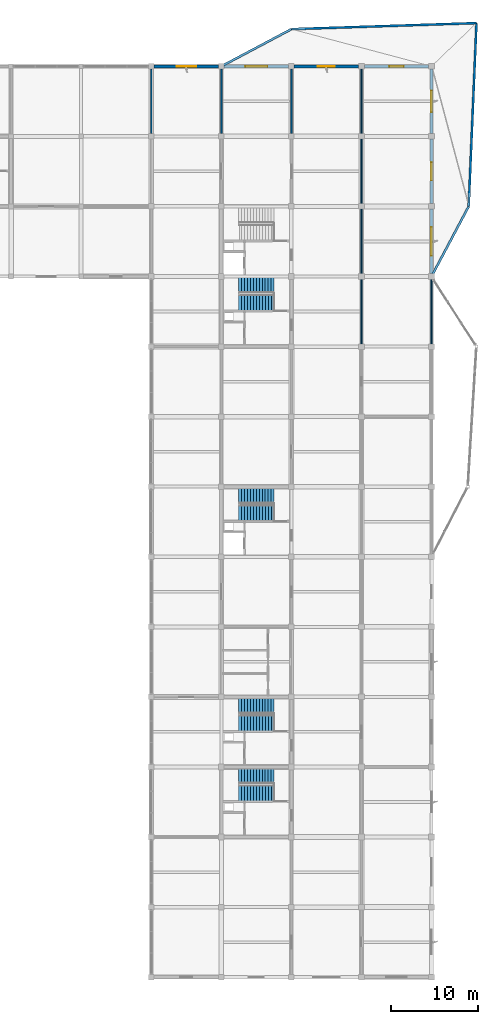
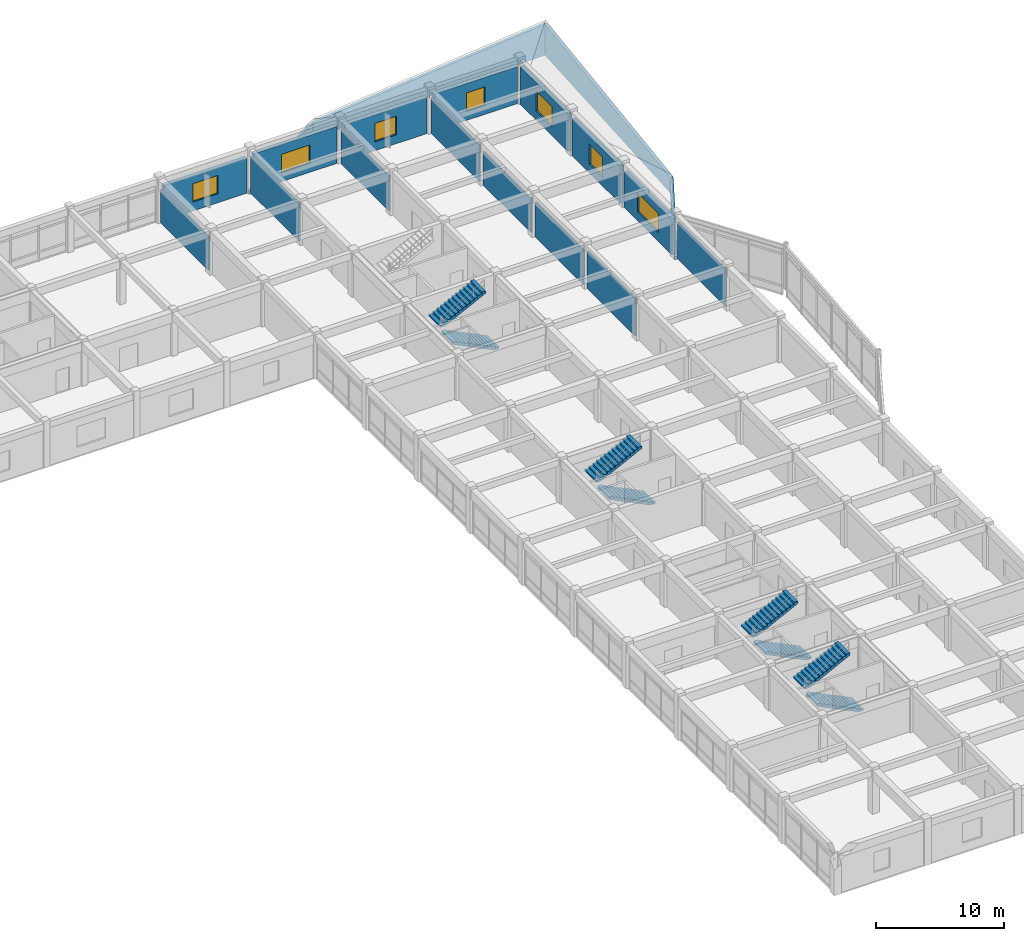
# One storey, part 32 of 40: 19 walls, 8 stair flights, 7 windows, 7 openings, 4 elements without a shape of their own.
"""IFC4 building model written with IfcOpenShell, lengths in metres."""

from ifc_helpers import new_model, si_unit, direction, frame, frame_2d, origin, place, context, subcontext, project, spatial, polyline, rectangle, outline, extrude, material, layer, layer_set, type_object, element, fill, aggregate, save


model = new_model("IFC4")

# Units and contexts
model_context = context("Model", 3, precision=1e-05, world=origin(), true_north=direction((0.0, 1.0)))
body_context = subcontext(model_context, "Body", "Model", "MODEL_VIEW")
ifc_project = project(units=[si_unit("LENGTHUNIT", "METRE"), si_unit("AREAUNIT", "SQUARE_METRE"), si_unit("VOLUMEUNIT", "CUBIC_METRE"), si_unit("PLANEANGLEUNIT", "RADIAN"), si_unit("MASSUNIT", "GRAM", prefix="KILO")], contexts=[model_context])

# Site, building, storey
site_placement = place(None, origin())
site = spatial("IfcSite", under=ifc_project, at=site_placement, CompositionType="ELEMENT")
building_placement = place(site_placement, origin())
building = spatial("IfcBuilding", under=site, at=building_placement, Name="Vaudrelin Polytechnic", CompositionType="ELEMENT")
storey_placement = place(building_placement, frame((0.0, 0.0, 22.949951171875)))
storey = spatial("IfcBuildingStorey", under=building, at=storey_placement, Name="L05", CompositionType="ELEMENT", Elevation=22.949951171875)

# Walls
ifc_material_1 = material(Name="Precast concrete 35 MPa with standing-seam zinc rainscreen", Category="concrete")
ifc_layer_1 = layer(ifc_material_1, 0.260009765625)
ifc_layer_set_1 = layer_set([ifc_layer_1], Name="Precast concrete 35 MPa with standing-seam zinc rainscreen")
wall_type_1 = type_object("IfcWallType", Name="WAL-EW-CLER260", PredefinedType="STANDARD", material=ifc_layer_set_1)
wall_1_placement = place(storey_placement, frame((145.817626953125, 121.509521484375, -0.349853515625), z_axis=(0.0, 0.0, 1.0), x_axis=(0.883268347522, 0.468867813211, 0.0)))
element("IfcWall", 1, at=wall_1_placement, inside=storey, type_object=wall_type_1, Name="NE prow origami clerestory wall N1", PredefinedType="STANDARD", context=body_context, shape_type="SweptSolid", body=[
    extrude(outline(polyline([(0.0, 0.0), (9.130615234375, 0.0), (9.130615234375, 1.44482421875), (0.0, 0.344970703125), (0.0, 0.0)])), frame((0.0, 0.1298828125, 0.0), z_axis=(0.0, -1.0, 0.0), x_axis=(1.0, 0.0, 0.0)), (0.0, 0.0, 1.0), 0.260009765625),
])
wall_2_placement = place(storey_placement, frame((153.919921875, 125.80078125, -0.349853515625), z_axis=(0.0, 0.0, 1.0), x_axis=(0.999465766855, 0.032683036643, 0.0)))
element("IfcWall", 2, at=wall_2_placement, inside=storey, type_object=wall_type_1, Name="NE prow origami clerestory wall N2", PredefinedType="STANDARD", context=body_context, shape_type="SweptSolid", body=[
    extrude(outline(polyline([(0.0, 0.0), (21.37158203125, 0.0), (21.371337890625, 2.94482421875), (0.0, 1.44482421875), (0.0, 0.0)])), frame((0.0, 0.1298828125, 0.0), z_axis=(0.0, -1.0, 0.0), x_axis=(1.0, 0.0, 0.0)), (0.0, 0.0, 1.0), 0.260009765625),
])
wall_3_placement = place(storey_placement, frame((175.29931640625, 126.47998046875, -0.349853515625), z_axis=(0.0, 0.0, 1.0), x_axis=(-0.042421194203, -0.999099815976, 0.0)))
element("IfcWall", 3, at=wall_3_placement, inside=storey, type_object=wall_type_1, Name="NE prow origami clerestory wall E2", PredefinedType="STANDARD", context=body_context, shape_type="SweptSolid", body=[
    extrude(outline(polyline([(0.0, 0.0), (21.178955078125, 0.0), (21.17919921875, 1.44482421875), (0.0, 2.94482421875), (0.0, 0.0)])), frame((0.0, 0.1298828125, 0.0), z_axis=(0.0, -1.0, 0.0), x_axis=(1.0, 0.0, 0.0)), (0.0, 0.0, 1.0), 0.260009765625),
])
wall_4_placement = place(storey_placement, frame((174.390625, 105.2822265625, -0.349853515625), z_axis=(0.0, 0.0, 1.0), x_axis=(-0.468899747584, -0.88325139497, 0.0)))
element("IfcWall", 4, at=wall_4_placement, inside=storey, type_object=wall_type_1, Name="NE prow origami clerestory wall E1", PredefinedType="STANDARD", context=body_context, shape_type="SweptSolid", body=[
    extrude(outline(polyline([(0.0, 0.0), (9.13037109375, 0.0), (9.130615234375, 0.344970703125), (0.0, 1.44482421875), (0.0, 0.0)])), frame((0.0, 0.1298828125, 0.0), z_axis=(0.0, -1.0, 0.0), x_axis=(1.0, 0.0, 0.0)), (0.0, 0.0, 1.0), 0.260009765625),
])

# Wall, opening, window
ifc_material_2 = material(Name="Precast concrete 35 MPa with terracotta baguette screen", Category="masonry")
ifc_layer_2 = layer(ifc_material_2, 0.35009765625)
ifc_layer_set_2 = layer_set([ifc_layer_2], Name="Precast concrete 35 MPa with terracotta baguette screen")
wall_type_2 = type_object("IfcWallType", Name="WAL-EW-TERR350", PredefinedType="STANDARD", material=ifc_layer_set_2)
wall_5_placement = place(storey_placement, frame((138.02294921875, 121.5, 0.0), z_axis=(0.0, 0.0, 1.0), x_axis=(1.0, 0.0, 0.0)))
wall_5 = element("IfcWall", 5, at=wall_5_placement, inside=storey, type_object=wall_type_2, Name="Exterior wall L05 N_V4_00", PredefinedType="STANDARD", context=body_context, shape_type="SweptSolid", body=[
    extrude(rectangle(XDim=7.4541015625, YDim=0.35009765625, at=frame_2d((3.72705078125, 0.0))), origin(), (0.0, 0.0, 1.0), 3.31201171875),
])
opening_1_placement = place(wall_5_placement, frame((2.60205078125, 0.0, 0.85009765625)))
opening_1 = element("IfcOpeningElement", 6, at=opening_1_placement, cuts=wall_5, Name="Opening W-L05-N-V4-01", PredefinedType="OPENING", context=body_context, shape_type="SweptSolid", body=[
    extrude(rectangle(XDim=2.25, YDim=1.75, at=frame_2d((1.125, 0.875))), frame((0.0, 0.18505859375, 0.0), z_axis=(0.0, -1.0, 0.0), x_axis=(1.0, 0.0, 0.0)), (0.0, 0.0, 1.0), 0.3701171875),
])
ifc_material_3 = material(Name="Thermally broken aluminium frame with triple low-e glazing", Category="aluminium")
window_type_1 = type_object("IfcWindowType", Name="WIN-WN-15", PartitioningType="SINGLE_PANEL", PredefinedType="WINDOW", material=ifc_material_3)
window_1_placement = place(opening_1_placement, origin())
window_1 = element("IfcWindow", 7, at=window_1_placement, inside=storey, type_object=window_type_1, Name="Facade window L05-N_V4_00", OverallHeight=1.75, OverallWidth=2.25, PartitioningType="SINGLE_PANEL", PredefinedType="WINDOW", context=body_context, shape_type="SweptSolid", body=[
    extrude(rectangle(XDim=2.25, YDim=1.75, at=frame_2d((1.125, 0.875))), frame((0.0, 0.030029296875, 0.0), z_axis=(0.0, -1.0, 0.0), x_axis=(1.0, 0.0, 0.0)), (0.0, 0.0, 1.0), 0.06005859375),
])
fill(opening_1, window_1)

wall_6_placement = place(storey_placement, frame((146.123046875, 121.5, 0.0), z_axis=(0.0, 0.0, 1.0), x_axis=(1.0, 0.0, 0.0)))
wall_6 = element("IfcWall", 8, at=wall_6_placement, inside=storey, type_object=wall_type_2, Name="Exterior wall L05 N_V4_01", PredefinedType="STANDARD", context=body_context, shape_type="SweptSolid", body=[
    extrude(rectangle(XDim=7.453857421875, YDim=0.35009765625, at=frame_2d((3.72705078125, 0.0))), origin(), (0.0, 0.0, 1.0), 3.511962890625),
])
opening_2_placement = place(wall_6_placement, frame((2.451904296875, 0.0, 0.85009765625)))
opening_2 = element("IfcOpeningElement", 9, at=opening_2_placement, cuts=wall_6, Name="Opening W-L05-N-V4-02", PredefinedType="OPENING", context=body_context, shape_type="SweptSolid", body=[
    extrude(rectangle(XDim=2.550048828125, YDim=1.75, at=frame_2d((1.27490234375, 0.875))), frame((0.0, 0.18505859375, 0.0), z_axis=(0.0, -1.0, 0.0), x_axis=(1.0, 0.0, 0.0)), (0.0, 0.0, 1.0), 0.3701171875),
])
window_type_2 = type_object("IfcWindowType", Name="WIN-WN-16", PartitioningType="SINGLE_PANEL", PredefinedType="WINDOW", material=ifc_material_3)
window_2_placement = place(opening_2_placement, origin())
window_2 = element("IfcWindow", 10, at=window_2_placement, inside=storey, type_object=window_type_2, Name="Facade window L05-N_V4_01", OverallHeight=1.75, OverallWidth=2.550048828125, PartitioningType="SINGLE_PANEL", PredefinedType="WINDOW", context=body_context, shape_type="SweptSolid", body=[
    extrude(rectangle(XDim=2.550048828125, YDim=1.75, at=frame_2d((1.27490234375, 0.875))), frame((0.0, 0.030029296875, 0.0), z_axis=(0.0, -1.0, 0.0), x_axis=(1.0, 0.0, 0.0)), (0.0, 0.0, 1.0), 0.06005859375),
])
fill(opening_2, window_2)

wall_7_placement = place(storey_placement, frame((154.222900390625, 121.5, 0.0), z_axis=(0.0, 0.0, 1.0), x_axis=(1.0, 0.0, 0.0)))
wall_7 = element("IfcWall", 11, at=wall_7_placement, inside=storey, type_object=wall_type_2, Name="Exterior wall L05 N_V4_02", PredefinedType="STANDARD", context=body_context, shape_type="SweptSolid", body=[
    extrude(rectangle(XDim=7.4541015625, YDim=0.35009765625, at=frame_2d((3.72705078125, 0.0))), origin(), (0.0, 0.0, 1.0), 3.412109375),
])
opening_3_placement = place(wall_7_placement, frame((2.751953125, 0.0, 0.85009765625)))
opening_3 = element("IfcOpeningElement", 12, at=opening_3_placement, cuts=wall_7, Name="Opening W-L05-N-V4-03", PredefinedType="OPENING", context=body_context, shape_type="SweptSolid", body=[
    extrude(rectangle(XDim=1.949951171875, YDim=1.75, at=frame_2d((0.97509765625, 0.875))), frame((0.0, 0.18505859375, 0.0), z_axis=(0.0, -1.0, 0.0), x_axis=(1.0, 0.0, 0.0)), (0.0, 0.0, 1.0), 0.3701171875),
])
window_type_3 = type_object("IfcWindowType", Name="WIN-WN-17", PartitioningType="SINGLE_PANEL", PredefinedType="WINDOW", material=ifc_material_3)
window_3_placement = place(opening_3_placement, origin())
window_3 = element("IfcWindow", 13, at=window_3_placement, inside=storey, type_object=window_type_3, Name="Facade window L05-N_V4_02", OverallHeight=1.75, OverallWidth=1.949951171875, PartitioningType="SINGLE_PANEL", PredefinedType="WINDOW", context=body_context, shape_type="SweptSolid", body=[
    extrude(rectangle(XDim=1.949951171875, YDim=1.75, at=frame_2d((0.97509765625, 0.875))), frame((0.0, 0.030029296875, 0.0), z_axis=(0.0, -1.0, 0.0), x_axis=(1.0, 0.0, 0.0)), (0.0, 0.0, 1.0), 0.06005859375),
])
fill(opening_3, window_3)

wall_8_placement = place(storey_placement, frame((162.322998046875, 121.5, 0.0), z_axis=(0.0, 0.0, 1.0), x_axis=(1.0, 0.0, 0.0)))
wall_8 = element("IfcWall", 14, at=wall_8_placement, inside=storey, type_object=wall_type_2, Name="Exterior wall L05 N_V4_03", PredefinedType="STANDARD", context=body_context, shape_type="SweptSolid", body=[
    extrude(rectangle(XDim=7.4541015625, YDim=0.35009765625, at=frame_2d((3.72705078125, 0.0))), origin(), (0.0, 0.0, 1.0), 3.511962890625),
])
opening_4_placement = place(wall_8_placement, frame((2.902099609375, 0.0, 0.85009765625)))
opening_4 = element("IfcOpeningElement", 15, at=opening_4_placement, cuts=wall_8, Name="Opening W-L05-N-V4-04", PredefinedType="OPENING", context=body_context, shape_type="SweptSolid", body=[
    extrude(rectangle(XDim=1.64990234375, YDim=1.75, at=frame_2d((0.824951171875, 0.875))), frame((0.0, 0.18505859375, 0.0), z_axis=(0.0, -1.0, 0.0), x_axis=(1.0, 0.0, 0.0)), (0.0, 0.0, 1.0), 0.3701171875),
])
window_type_4 = type_object("IfcWindowType", Name="WIN-WN-18", PartitioningType="SINGLE_PANEL", PredefinedType="WINDOW", material=ifc_material_3)
window_4_placement = place(opening_4_placement, origin())
window_4 = element("IfcWindow", 16, at=window_4_placement, inside=storey, type_object=window_type_4, Name="Facade window L05-N_V4_03", OverallHeight=1.75, OverallWidth=1.64990234375, PartitioningType="SINGLE_PANEL", PredefinedType="WINDOW", context=body_context, shape_type="SweptSolid", body=[
    extrude(rectangle(XDim=1.64990234375, YDim=1.75, at=frame_2d((0.824951171875, 0.875))), frame((0.0, 0.030029296875, 0.0), z_axis=(0.0, -1.0, 0.0), x_axis=(1.0, 0.0, 0.0)), (0.0, 0.0, 1.0), 0.06005859375),
])
fill(opening_4, window_4)

wall_9_placement = place(storey_placement, frame((170.10009765625, 97.52294921875, 0.0), z_axis=(0.0, 0.0, 1.0), x_axis=(0.0, 1.0, 0.0)))
wall_9 = element("IfcWall", 17, at=wall_9_placement, inside=storey, type_object=wall_type_2, Name="Exterior wall L05 E_V4_10", PredefinedType="STANDARD", context=body_context, shape_type="SweptSolid", body=[
    extrude(rectangle(XDim=7.4541015625, YDim=0.35009765625, at=frame_2d((3.72705078125, 0.0))), origin(), (0.0, 0.0, 1.0), 3.412109375),
])
opening_5_placement = place(wall_9_placement, frame((2.076904296875, 0.0, 0.85009765625)))
opening_5 = element("IfcOpeningElement", 18, at=opening_5_placement, cuts=wall_9, Name="Opening W-L05-E-V4-11", PredefinedType="OPENING", context=body_context, shape_type="SweptSolid", body=[
    extrude(rectangle(XDim=3.300048828125, YDim=1.800048828125, at=frame_2d((1.64990234375, 0.89990234375))), frame((0.0, 0.18505859375, 0.0), z_axis=(0.0, -1.0, 0.0), x_axis=(1.0, 0.0, 0.0)), (0.0, 0.0, 1.0), 0.3701171875),
])
window_type_5 = type_object("IfcWindowType", Name="WIN-WN-25", PartitioningType="SINGLE_PANEL", PredefinedType="WINDOW", material=ifc_material_3)
window_5_placement = place(opening_5_placement, origin())
window_5 = element("IfcWindow", 19, at=window_5_placement, inside=storey, type_object=window_type_5, Name="Facade window L05-E_V4_10", OverallHeight=1.800048828125, OverallWidth=3.300048828125, PartitioningType="SINGLE_PANEL", PredefinedType="WINDOW", context=body_context, shape_type="SweptSolid", body=[
    extrude(rectangle(XDim=3.300048828125, YDim=1.800048828125, at=frame_2d((1.64990234375, 0.89990234375))), frame((0.0, 0.030029296875, 0.0), z_axis=(0.0, -1.0, 0.0), x_axis=(1.0, 0.0, 0.0)), (0.0, 0.0, 1.0), 0.06005859375),
])
fill(opening_5, window_5)

wall_10_placement = place(storey_placement, frame((170.10009765625, 105.623046875, 0.0), z_axis=(0.0, 0.0, 1.0), x_axis=(0.0, 1.0, 0.0)))
wall_10 = element("IfcWall", 20, at=wall_10_placement, inside=storey, type_object=wall_type_2, Name="Exterior wall L05 E_V4_11", PredefinedType="STANDARD", context=body_context, shape_type="SweptSolid", body=[
    extrude(rectangle(XDim=7.453857421875, YDim=0.35009765625, at=frame_2d((3.72705078125, 0.0))), origin(), (0.0, 0.0, 1.0), 3.511962890625),
])
opening_6_placement = place(wall_10_placement, frame((2.677001953125, 0.0, 0.85009765625)))
opening_6 = element("IfcOpeningElement", 21, at=opening_6_placement, cuts=wall_10, Name="Opening W-L05-E-V4-12", PredefinedType="OPENING", context=body_context, shape_type="SweptSolid", body=[
    extrude(rectangle(XDim=2.10009765625, YDim=1.89990234375, at=frame_2d((1.050048828125, 0.949951171875))), frame((0.0, 0.18505859375, 0.0), z_axis=(0.0, -1.0, 0.0), x_axis=(1.0, 0.0, 0.0)), (0.0, 0.0, 1.0), 0.3701171875),
])
window_type_6 = type_object("IfcWindowType", Name="WIN-WN-26", PartitioningType="SINGLE_PANEL", PredefinedType="WINDOW", material=ifc_material_3)
window_6_placement = place(opening_6_placement, origin())
window_6 = element("IfcWindow", 22, at=window_6_placement, inside=storey, type_object=window_type_6, Name="Facade window L05-E_V4_11", OverallHeight=1.89990234375, OverallWidth=2.10009765625, PartitioningType="SINGLE_PANEL", PredefinedType="WINDOW", context=body_context, shape_type="SweptSolid", body=[
    extrude(rectangle(XDim=2.10009765625, YDim=1.89990234375, at=frame_2d((1.050048828125, 0.949951171875))), frame((0.0, 0.030029296875, 0.0), z_axis=(0.0, -1.0, 0.0), x_axis=(1.0, 0.0, 0.0)), (0.0, 0.0, 1.0), 0.06005859375),
])
fill(opening_6, window_6)

wall_11_placement = place(storey_placement, frame((170.10009765625, 113.722900390625, 0.0), z_axis=(0.0, 0.0, 1.0), x_axis=(0.0, 1.0, 0.0)))
wall_11 = element("IfcWall", 23, at=wall_11_placement, inside=storey, type_object=wall_type_2, Name="Exterior wall L05 E_V4_12", PredefinedType="STANDARD", context=body_context, shape_type="SweptSolid", body=[
    extrude(rectangle(XDim=7.4541015625, YDim=0.35009765625, at=frame_2d((3.72705078125, 0.0))), origin(), (0.0, 0.0, 1.0), 3.56201171875),
])
opening_7_placement = place(wall_11_placement, frame((2.47705078125, 0.0, 0.85009765625)))
opening_7 = element("IfcOpeningElement", 24, at=opening_7_placement, cuts=wall_11, Name="Opening W-L05-E-V4-13", PredefinedType="OPENING", context=body_context, shape_type="SweptSolid", body=[
    extrude(rectangle(XDim=2.5, YDim=1.89990234375, at=frame_2d((1.25, 0.949951171875))), frame((0.0, 0.18505859375, 0.0), z_axis=(0.0, -1.0, 0.0), x_axis=(1.0, 0.0, 0.0)), (0.0, 0.0, 1.0), 0.3701171875),
])
window_type_7 = type_object("IfcWindowType", Name="WIN-WN-27", PartitioningType="SINGLE_PANEL", PredefinedType="WINDOW", material=ifc_material_3)
window_7_placement = place(opening_7_placement, origin())
window_7 = element("IfcWindow", 25, at=window_7_placement, inside=storey, type_object=window_type_7, Name="Facade window L05-E_V4_12", OverallHeight=1.89990234375, OverallWidth=2.5, PartitioningType="SINGLE_PANEL", PredefinedType="WINDOW", context=body_context, shape_type="SweptSolid", body=[
    extrude(rectangle(XDim=2.5, YDim=1.89990234375, at=frame_2d((1.25, 0.949951171875))), frame((0.0, 0.030029296875, 0.0), z_axis=(0.0, -1.0, 0.0), x_axis=(1.0, 0.0, 0.0)), (0.0, 0.0, 1.0), 0.06005859375),
])
fill(opening_7, window_7)

# Walls
ifc_material_4 = material(Name="Moisture- and chemical-resistant laboratory partition", Category="gypsum")
ifc_layer_3 = layer(ifc_material_4, 0.159912109375)
ifc_layer_set_3 = layer_set([ifc_layer_3], Name="Moisture- and chemical-resistant laboratory partition")
wall_type_3 = type_object("IfcWallType", Name="WAL-PW-LAB160", PredefinedType="PARTITIONING", material=ifc_layer_set_3)
wall_12_placement = place(storey_placement, frame((145.800048828125, 113.722900390625, 0.0), z_axis=(0.0, 0.0, 1.0), x_axis=(0.0, 1.0, 0.0)))
element("IfcWall", 26, at=wall_12_placement, inside=storey, type_object=wall_type_3, Name="Partition L05-011 E", PredefinedType="PARTITIONING", context=body_context, shape_type="SweptSolid", body=[
    extrude(rectangle(XDim=7.4541015625, YDim=0.159912109375, at=frame_2d((3.72705078125, 0.0))), origin(), (0.0, 0.0, 1.0), 3.511962890625),
])
wall_13_placement = place(storey_placement, frame((153.89990234375, 113.722900390625, 0.0), z_axis=(0.0, 0.0, 1.0), x_axis=(0.0, 1.0, 0.0)))
element("IfcWall", 27, at=wall_13_placement, inside=storey, type_object=wall_type_3, Name="Partition L05-012 E", PredefinedType="PARTITIONING", context=body_context, shape_type="SweptSolid", body=[
    extrude(rectangle(XDim=7.4541015625, YDim=0.159912109375, at=frame_2d((3.72705078125, 0.0))), origin(), (0.0, 0.0, 1.0), 3.31201171875),
])
ifc_material_5 = material(Name="Acoustic steel-stud office & study room partition", Category="steel")
ifc_layer_4 = layer(ifc_material_5, 0.135009765625)
ifc_layer_set_4 = layer_set([ifc_layer_4], Name="Acoustic steel-stud office & study room partition")
wall_type_4 = type_object("IfcWallType", Name="WAL-PW-OFF135", PredefinedType="PARTITIONING", material=ifc_layer_set_4)
wall_14_placement = place(storey_placement, frame((162.0, 89.423095703125, 0.0), z_axis=(0.0, 0.0, 1.0), x_axis=(0.0, 1.0, 0.0)))
element("IfcWall", 28, at=wall_14_placement, inside=storey, type_object=wall_type_4, Name="Partition L05-016 W", PredefinedType="PARTITIONING", context=body_context, shape_type="SweptSolid", body=[
    extrude(rectangle(XDim=7.453857421875, YDim=0.135009765625, at=frame_2d((3.72705078125, 0.0))), origin(), (0.0, 0.0, 1.0), 3.56201171875),
])
wall_15_placement = place(storey_placement, frame((162.0, 97.52294921875, 0.0), z_axis=(0.0, 0.0, 1.0), x_axis=(0.0, 1.0, 0.0)))
element("IfcWall", 29, at=wall_15_placement, inside=storey, type_object=wall_type_4, Name="Partition L05-016 W", PredefinedType="PARTITIONING", context=body_context, shape_type="SweptSolid", body=[
    extrude(rectangle(XDim=7.4541015625, YDim=0.135009765625, at=frame_2d((3.72705078125, 0.0))), origin(), (0.0, 0.0, 1.0), 3.31201171875),
])
wall_16_placement = place(storey_placement, frame((162.0, 105.623046875, 0.0), z_axis=(0.0, 0.0, 1.0), x_axis=(0.0, 1.0, 0.0)))
element("IfcWall", 30, at=wall_16_placement, inside=storey, type_object=wall_type_4, Name="Partition L05-016 W", PredefinedType="PARTITIONING", context=body_context, shape_type="SweptSolid", body=[
    extrude(rectangle(XDim=7.453857421875, YDim=0.135009765625, at=frame_2d((3.72705078125, 0.0))), origin(), (0.0, 0.0, 1.0), 3.212158203125),
])
wall_17_placement = place(storey_placement, frame((162.0, 113.722900390625, 0.0), z_axis=(0.0, 0.0, 1.0), x_axis=(0.0, 1.0, 0.0)))
element("IfcWall", 31, at=wall_17_placement, inside=storey, type_object=wall_type_4, Name="Partition L05-016 W", PredefinedType="PARTITIONING", context=body_context, shape_type="SweptSolid", body=[
    extrude(rectangle(XDim=7.4541015625, YDim=0.135009765625, at=frame_2d((3.72705078125, 0.0))), origin(), (0.0, 0.0, 1.0), 3.412109375),
])
wall_18_placement = place(storey_placement, frame((170.10009765625, 89.423095703125, 0.0), z_axis=(0.0, 0.0, 1.0), x_axis=(0.0, 1.0, 0.0)))
element("IfcWall", 32, at=wall_18_placement, inside=storey, type_object=wall_type_4, Name="Partition L05-016 E", PredefinedType="PARTITIONING", context=body_context, shape_type="SweptSolid", body=[
    extrude(rectangle(XDim=7.453857421875, YDim=0.135009765625, at=frame_2d((3.72705078125, 0.0))), origin(), (0.0, 0.0, 1.0), 3.511962890625),
])
ifc_material_6 = material(Name="Pin-up plywood & acoustic gypsum studio partition", Category="wood")
ifc_layer_5 = layer(ifc_material_6, 0.14990234375)
ifc_layer_set_5 = layer_set([ifc_layer_5], Name="Pin-up plywood & acoustic gypsum studio partition")
wall_type_5 = type_object("IfcWallType", Name="WAL-PW-STU150", PredefinedType="PARTITIONING", material=ifc_layer_set_5)
wall_19_placement = place(storey_placement, frame((137.699951171875, 113.722900390625, 0.0), z_axis=(0.0, 0.0, 1.0), x_axis=(0.0, 1.0, 0.0)))
element("IfcWall", 33, at=wall_19_placement, inside=storey, type_object=wall_type_5, Name="Partition L05-005 E", PredefinedType="PARTITIONING", context=body_context, shape_type="SweptSolid", body=[
    extrude(rectangle(XDim=7.4541015625, YDim=0.14990234375, at=frame_2d((3.72705078125, 0.0))), origin(), (0.0, 0.0, 1.0), 3.212158203125),
])

# Stair, stair flights
ifc_material_7 = material(Name="Concrete 35 MPa", Category="concrete")
stair_type = type_object("IfcStairType", Name="STR-ST-CORE", PredefinedType="TWO_STRAIGHT_RUN_STAIR", material=ifc_material_7)
stair_1_placement = place(storey_placement, origin())
stair_1 = element("IfcStair", 34, at=stair_1_placement, inside=storey, type_object=stair_type, Name="Exit stair ST-07-L05", PredefinedType="TWO_STRAIGHT_RUN_STAIR")
stair_flight_type = type_object("IfcStairFlightType", Name="STF-STF-CORE", PredefinedType="STRAIGHT", material=ifc_material_7)
stair_flight_1_placement = place(storey_placement, frame((151.93994140625, 69.8701171875, 0.0), z_axis=(0.0, 0.0, 1.0), x_axis=(-1.0, 0.0, 0.0)))
stair_flight_1 = element("IfcStairFlight", 35, at=stair_flight_1_placement, type_object=stair_flight_type, Name="ST-07-L05 flight 1", NumberOfRisers=13, NumberOfTreads=12, PredefinedType="STRAIGHT", RiserHeight=0.17, TreadLength=0.34417, context=body_context, shape_type="SweptSolid", body=[
    extrude(outline(polyline([(0.0, 0.0), (0.0, 0.169921875), (0.34423828125, 0.169921875), (0.34423828125, 0.340087890625), (0.688232421875, 0.340087890625), (0.688232421875, 0.510009765625), (1.032470703125, 0.510009765625), (1.032470703125, 0.679931640625), (1.376708984375, 0.679931640625), (1.376708984375, 0.85009765625), (1.720947265625, 0.85009765625), (1.720947265625, 1.02001953125), (2.06494140625, 1.02001953125), (2.06494140625, 1.18994140625), (2.4091796875, 1.18994140625), (2.4091796875, 1.360107421875), (2.75341796875, 1.360107421875), (2.75341796875, 1.530029296875), (3.097412109375, 1.530029296875), (3.097412109375, 1.699951171875), (3.441650390625, 1.699951171875), (3.441650390625, 1.8701171875), (3.785888671875, 1.8701171875), (3.785888671875, 2.0400390625), (4.130126953125, 2.0400390625), (4.130126953125, 2.2099609375), (4.130126953125, 1.81689453125), (0.451416015625, 0.0), (0.0, 0.0)])), frame((0.0, 0.91015625, 0.0), z_axis=(0.0, -1.0, 0.0), x_axis=(1.0, 0.0, 0.0)), (0.0, 0.0, 1.0), 1.820068359375),
])
stair_flight_2_placement = place(storey_placement, frame((147.81005859375, 71.889892578125, 2.2099609375), z_axis=(0.0, 0.0, 1.0), x_axis=(1.0, 0.0, 0.0)))
stair_flight_2 = element("IfcStairFlight", 36, at=stair_flight_2_placement, type_object=stair_flight_type, Name="ST-07-L05 flight 2", NumberOfRisers=13, NumberOfTreads=12, PredefinedType="STRAIGHT", RiserHeight=0.17, TreadLength=0.34083, context=body_context, shape_type="SweptSolid", body=[
    extrude(outline(polyline([(0.0, 0.0), (0.0, 0.169921875), (0.3408203125, 0.169921875), (0.3408203125, 0.340087890625), (0.681640625, 0.340087890625), (0.681640625, 0.510009765625), (1.0224609375, 0.510009765625), (1.0224609375, 0.679931640625), (1.36328125, 0.679931640625), (1.36328125, 0.85009765625), (1.7041015625, 0.85009765625), (1.7041015625, 1.02001953125), (2.044921875, 1.02001953125), (2.044921875, 1.18994140625), (2.3857421875, 1.18994140625), (2.3857421875, 1.360107421875), (2.7265625, 1.360107421875), (2.7265625, 1.530029296875), (3.0673828125, 1.530029296875), (3.0673828125, 1.699951171875), (3.408203125, 1.699951171875), (3.408203125, 1.8701171875), (3.7490234375, 1.8701171875), (3.7490234375, 2.0400390625), (4.08984375, 2.0400390625), (4.08984375, 2.2099609375), (4.08984375, 1.816650390625), (0.447998046875, 0.0), (0.0, 0.0)])), frame((0.0, 0.91015625, 0.0), z_axis=(0.0, -1.0, 0.0), x_axis=(1.0, 0.0, 0.0)), (0.0, 0.0, 1.0), 1.820068359375),
])
aggregate(stair_1, [stair_flight_1, stair_flight_2])

stair_2_placement = place(storey_placement, origin())
stair_2 = element("IfcStair", 37, at=stair_2_placement, inside=storey, type_object=stair_type, Name="Exit stair ST-08-L05", PredefinedType="TWO_STRAIGHT_RUN_STAIR")
stair_flight_3_placement = place(storey_placement, frame((151.93994140625, 37.469970703125, 0.0), z_axis=(0.0, 0.0, 1.0), x_axis=(-1.0, 0.0, 0.0)))
stair_flight_3 = element("IfcStairFlight", 38, at=stair_flight_3_placement, type_object=stair_flight_type, Name="ST-08-L05 flight 1", NumberOfRisers=13, NumberOfTreads=12, PredefinedType="STRAIGHT", RiserHeight=0.17, TreadLength=0.34417, context=body_context, shape_type="SweptSolid", body=[
    extrude(outline(polyline([(0.0, 0.0), (0.0, 0.169921875), (0.34423828125, 0.169921875), (0.34423828125, 0.340087890625), (0.688232421875, 0.340087890625), (0.688232421875, 0.510009765625), (1.032470703125, 0.510009765625), (1.032470703125, 0.679931640625), (1.376708984375, 0.679931640625), (1.376708984375, 0.85009765625), (1.720947265625, 0.85009765625), (1.720947265625, 1.02001953125), (2.06494140625, 1.02001953125), (2.06494140625, 1.18994140625), (2.4091796875, 1.18994140625), (2.4091796875, 1.360107421875), (2.75341796875, 1.360107421875), (2.75341796875, 1.530029296875), (3.097412109375, 1.530029296875), (3.097412109375, 1.699951171875), (3.441650390625, 1.699951171875), (3.441650390625, 1.8701171875), (3.785888671875, 1.8701171875), (3.785888671875, 2.0400390625), (4.130126953125, 2.0400390625), (4.130126953125, 2.2099609375), (4.130126953125, 1.81689453125), (0.451416015625, 0.0), (0.0, 0.0)])), frame((0.0, 0.91015625, 0.0), z_axis=(0.0, -1.0, 0.0), x_axis=(1.0, 0.0, 0.0)), (0.0, 0.0, 1.0), 1.820068359375),
])
stair_flight_4_placement = place(storey_placement, frame((147.81005859375, 39.489990234375, 2.2099609375), z_axis=(0.0, 0.0, 1.0), x_axis=(1.0, 0.0, 0.0)))
stair_flight_4 = element("IfcStairFlight", 39, at=stair_flight_4_placement, type_object=stair_flight_type, Name="ST-08-L05 flight 2", NumberOfRisers=13, NumberOfTreads=12, PredefinedType="STRAIGHT", RiserHeight=0.17, TreadLength=0.34083, context=body_context, shape_type="SweptSolid", body=[
    extrude(outline(polyline([(0.0, 0.0), (0.0, 0.169921875), (0.3408203125, 0.169921875), (0.3408203125, 0.340087890625), (0.681640625, 0.340087890625), (0.681640625, 0.510009765625), (1.0224609375, 0.510009765625), (1.0224609375, 0.679931640625), (1.36328125, 0.679931640625), (1.36328125, 0.85009765625), (1.7041015625, 0.85009765625), (1.7041015625, 1.02001953125), (2.044921875, 1.02001953125), (2.044921875, 1.18994140625), (2.3857421875, 1.18994140625), (2.3857421875, 1.360107421875), (2.7265625, 1.360107421875), (2.7265625, 1.530029296875), (3.0673828125, 1.530029296875), (3.0673828125, 1.699951171875), (3.408203125, 1.699951171875), (3.408203125, 1.8701171875), (3.7490234375, 1.8701171875), (3.7490234375, 2.0400390625), (4.08984375, 2.0400390625), (4.08984375, 2.2099609375), (4.08984375, 1.816650390625), (0.447998046875, 0.0), (0.0, 0.0)])), frame((0.0, 0.91015625, 0.0), z_axis=(0.0, -1.0, 0.0), x_axis=(1.0, 0.0, 0.0)), (0.0, 0.0, 1.0), 1.820068359375),
])
aggregate(stair_2, [stair_flight_3, stair_flight_4])

stair_3_placement = place(storey_placement, origin())
stair_3 = element("IfcStair", 40, at=stair_3_placement, inside=storey, type_object=stair_type, Name="Exit stair ST-12-L05", PredefinedType="TWO_STRAIGHT_RUN_STAIR")
stair_flight_5_placement = place(storey_placement, frame((151.93994140625, 45.570068359375, 0.0), z_axis=(0.0, 0.0, 1.0), x_axis=(-1.0, 0.0, 0.0)))
stair_flight_5 = element("IfcStairFlight", 41, at=stair_flight_5_placement, type_object=stair_flight_type, Name="ST-12-L05 flight 1", NumberOfRisers=13, NumberOfTreads=12, PredefinedType="STRAIGHT", RiserHeight=0.17, TreadLength=0.34417, context=body_context, shape_type="SweptSolid", body=[
    extrude(outline(polyline([(0.0, 0.0), (0.0, 0.169921875), (0.34423828125, 0.169921875), (0.34423828125, 0.340087890625), (0.688232421875, 0.340087890625), (0.688232421875, 0.510009765625), (1.032470703125, 0.510009765625), (1.032470703125, 0.679931640625), (1.376708984375, 0.679931640625), (1.376708984375, 0.85009765625), (1.720947265625, 0.85009765625), (1.720947265625, 1.02001953125), (2.06494140625, 1.02001953125), (2.06494140625, 1.18994140625), (2.4091796875, 1.18994140625), (2.4091796875, 1.360107421875), (2.75341796875, 1.360107421875), (2.75341796875, 1.530029296875), (3.097412109375, 1.530029296875), (3.097412109375, 1.699951171875), (3.441650390625, 1.699951171875), (3.441650390625, 1.8701171875), (3.785888671875, 1.8701171875), (3.785888671875, 2.0400390625), (4.130126953125, 2.0400390625), (4.130126953125, 2.2099609375), (4.130126953125, 1.81689453125), (0.451416015625, 0.0), (0.0, 0.0)])), frame((0.0, 0.91015625, 0.0), z_axis=(0.0, -1.0, 0.0), x_axis=(1.0, 0.0, 0.0)), (0.0, 0.0, 1.0), 1.820068359375),
])
stair_flight_6_placement = place(storey_placement, frame((147.81005859375, 47.590087890625, 2.2099609375), z_axis=(0.0, 0.0, 1.0), x_axis=(1.0, 0.0, 0.0)))
stair_flight_6 = element("IfcStairFlight", 42, at=stair_flight_6_placement, type_object=stair_flight_type, Name="ST-12-L05 flight 2", NumberOfRisers=13, NumberOfTreads=12, PredefinedType="STRAIGHT", RiserHeight=0.17, TreadLength=0.34083, context=body_context, shape_type="SweptSolid", body=[
    extrude(outline(polyline([(0.0, 0.0), (0.0, 0.169921875), (0.3408203125, 0.169921875), (0.3408203125, 0.340087890625), (0.681640625, 0.340087890625), (0.681640625, 0.510009765625), (1.0224609375, 0.510009765625), (1.0224609375, 0.679931640625), (1.36328125, 0.679931640625), (1.36328125, 0.85009765625), (1.7041015625, 0.85009765625), (1.7041015625, 1.02001953125), (2.044921875, 1.02001953125), (2.044921875, 1.18994140625), (2.3857421875, 1.18994140625), (2.3857421875, 1.360107421875), (2.7265625, 1.360107421875), (2.7265625, 1.530029296875), (3.0673828125, 1.530029296875), (3.0673828125, 1.699951171875), (3.408203125, 1.699951171875), (3.408203125, 1.8701171875), (3.7490234375, 1.8701171875), (3.7490234375, 2.0400390625), (4.08984375, 2.0400390625), (4.08984375, 2.2099609375), (4.08984375, 1.816650390625), (0.447998046875, 0.0), (0.0, 0.0)])), frame((0.0, 0.91015625, 0.0), z_axis=(0.0, -1.0, 0.0), x_axis=(1.0, 0.0, 0.0)), (0.0, 0.0, 1.0), 1.820068359375),
])
aggregate(stair_3, [stair_flight_5, stair_flight_6])

stair_4_placement = place(storey_placement, origin())
stair_4 = element("IfcStair", 43, at=stair_4_placement, inside=storey, type_object=stair_type, Name="Exit stair ST-13-L05", PredefinedType="TWO_STRAIGHT_RUN_STAIR")
stair_flight_7_placement = place(storey_placement, frame((151.93994140625, 94.169921875, 0.0), z_axis=(0.0, 0.0, 1.0), x_axis=(-1.0, 0.0, 0.0)))
stair_flight_7 = element("IfcStairFlight", 44, at=stair_flight_7_placement, type_object=stair_flight_type, Name="ST-13-L05 flight 1", NumberOfRisers=13, NumberOfTreads=12, PredefinedType="STRAIGHT", RiserHeight=0.17, TreadLength=0.34417, context=body_context, shape_type="SweptSolid", body=[
    extrude(outline(polyline([(0.0, 0.0), (0.0, 0.169921875), (0.34423828125, 0.169921875), (0.34423828125, 0.340087890625), (0.688232421875, 0.340087890625), (0.688232421875, 0.510009765625), (1.032470703125, 0.510009765625), (1.032470703125, 0.679931640625), (1.376708984375, 0.679931640625), (1.376708984375, 0.85009765625), (1.720947265625, 0.85009765625), (1.720947265625, 1.02001953125), (2.06494140625, 1.02001953125), (2.06494140625, 1.18994140625), (2.4091796875, 1.18994140625), (2.4091796875, 1.360107421875), (2.75341796875, 1.360107421875), (2.75341796875, 1.530029296875), (3.097412109375, 1.530029296875), (3.097412109375, 1.699951171875), (3.441650390625, 1.699951171875), (3.441650390625, 1.8701171875), (3.785888671875, 1.8701171875), (3.785888671875, 2.0400390625), (4.130126953125, 2.0400390625), (4.130126953125, 2.2099609375), (4.130126953125, 1.81689453125), (0.451416015625, 0.0), (0.0, 0.0)])), frame((0.0, 0.91015625, 0.0), z_axis=(0.0, -1.0, 0.0), x_axis=(1.0, 0.0, 0.0)), (0.0, 0.0, 1.0), 1.820068359375),
])
stair_flight_8_placement = place(storey_placement, frame((147.81005859375, 96.18994140625, 2.2099609375), z_axis=(0.0, 0.0, 1.0), x_axis=(1.0, 0.0, 0.0)))
stair_flight_8 = element("IfcStairFlight", 45, at=stair_flight_8_placement, type_object=stair_flight_type, Name="ST-13-L05 flight 2", NumberOfRisers=13, NumberOfTreads=12, PredefinedType="STRAIGHT", RiserHeight=0.17, TreadLength=0.34083, context=body_context, shape_type="SweptSolid", body=[
    extrude(outline(polyline([(0.0, 0.0), (0.0, 0.169921875), (0.3408203125, 0.169921875), (0.3408203125, 0.340087890625), (0.681640625, 0.340087890625), (0.681640625, 0.510009765625), (1.0224609375, 0.510009765625), (1.0224609375, 0.679931640625), (1.36328125, 0.679931640625), (1.36328125, 0.85009765625), (1.7041015625, 0.85009765625), (1.7041015625, 1.02001953125), (2.044921875, 1.02001953125), (2.044921875, 1.18994140625), (2.3857421875, 1.18994140625), (2.3857421875, 1.360107421875), (2.7265625, 1.360107421875), (2.7265625, 1.530029296875), (3.0673828125, 1.530029296875), (3.0673828125, 1.699951171875), (3.408203125, 1.699951171875), (3.408203125, 1.8701171875), (3.7490234375, 1.8701171875), (3.7490234375, 2.0400390625), (4.08984375, 2.0400390625), (4.08984375, 2.2099609375), (4.08984375, 1.816650390625), (0.447998046875, 0.0), (0.0, 0.0)])), frame((0.0, 0.91015625, 0.0), z_axis=(0.0, -1.0, 0.0), x_axis=(1.0, 0.0, 0.0)), (0.0, 0.0, 1.0), 1.820068359375),
])
aggregate(stair_4, [stair_flight_7, stair_flight_8])

save(model, "model.ifc")
